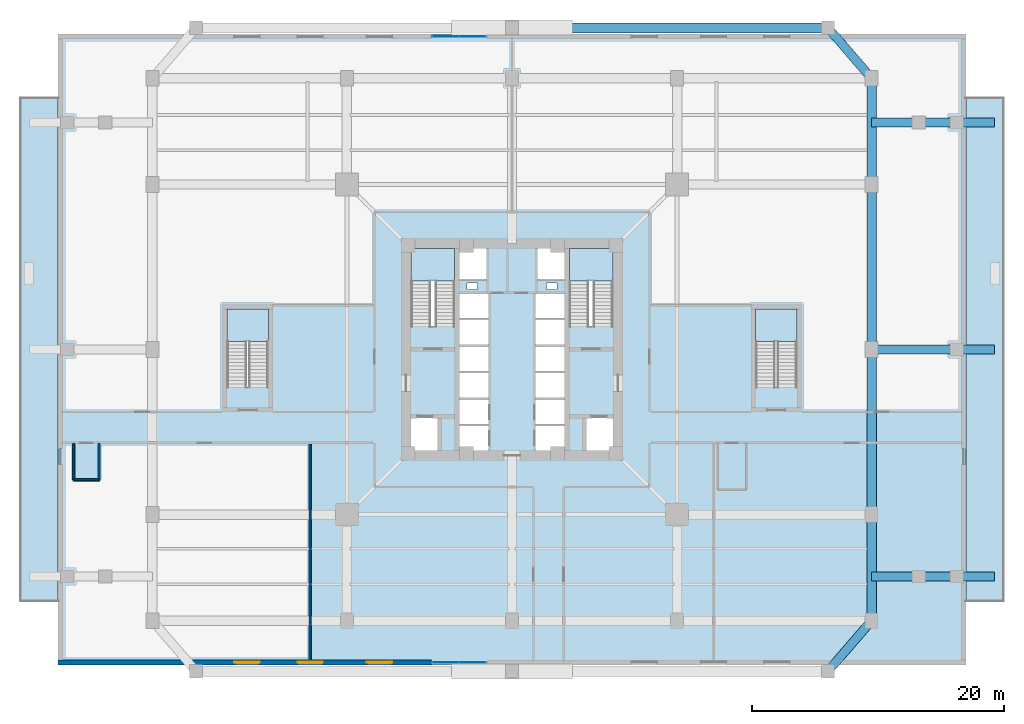
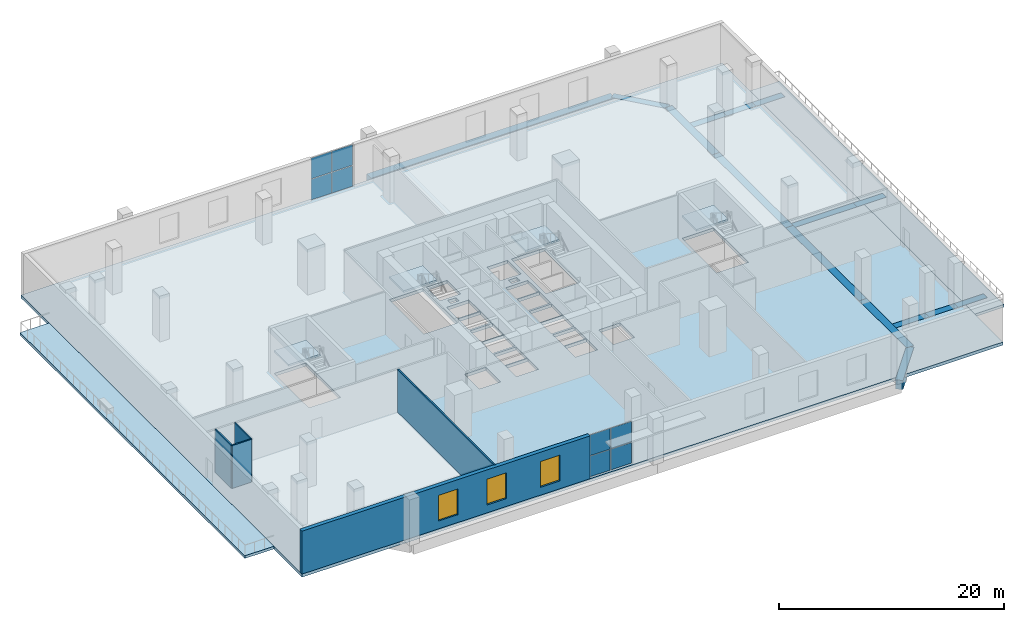
# One storey, part 5 of 15: 15 beams, 8 plates, 7 slabs, 5 walls, 3 windows, 3 openings, 6 elements without a shape of their own.
"""IFC4 building model written with IfcOpenShell, lengths in metres."""

from ifc_helpers import new_model, si_unit, direction, frame, frame_2d, origin, origin_2d, place, context, subcontext, project, spatial, polyline, rectangle, outline, extrude, source, transform, mapped, material, layer, layer_set, material_profile, profile_set, type_object, element, fill, aggregate, save


model = new_model("IFC4")

# Units and contexts
model_context = context("Model", 3, precision=1e-05, world=origin(), true_north=direction((0.0, 1.0)))
body_context = subcontext(model_context, "Body", "Model", "MODEL_VIEW")
ifc_project = project(units=[si_unit("LENGTHUNIT", "METRE"), si_unit("AREAUNIT", "SQUARE_METRE"), si_unit("VOLUMEUNIT", "CUBIC_METRE"), si_unit("PLANEANGLEUNIT", "RADIAN"), si_unit("MASSUNIT", "GRAM", prefix="KILO"), si_unit("THERMODYNAMICTEMPERATUREUNIT", "KELVIN")], contexts=[model_context])

# Site, building, storey
site_placement = place(None, origin())
site = spatial("IfcSite", under=ifc_project, at=site_placement, CompositionType="ELEMENT")
building_placement = place(site_placement, origin())
building = spatial("IfcBuilding", under=site, at=building_placement, Name="Kosmvard Interchange Tower", CompositionType="ELEMENT")
storey_placement = place(building_placement, frame((0.0, 0.0, 11.0)))
storey = spatial("IfcBuildingStorey", under=building, at=storey_placement, Name="L02", CompositionType="ELEMENT", Elevation=11.0)

# Beams
ifc_material_1 = material(Name="Concrete C60/75", Category="concrete")
ifc_material_profile_1 = material_profile(ifc_material_1, rectangle(XDim=0.75, YDim=1.050048828125, at=origin_2d()), Name="RCG 750x1050")
ifc_profile_set_1 = profile_set([ifc_material_profile_1], Name="Concrete C60/75")
beam_type_1 = type_object("IfcBeamType", Name="Concourse Mid-Span RC Girder 750x1050 C60/75", PredefinedType="BEAM", material=ifc_profile_set_1)
shared_shape_1 = source(origin(), body_context, "Body", "SweptSolid", [
    extrude(rectangle(XDim=0.75, YDim=1.050048828125, at=origin_2d()), origin(), (0.0, 0.0, 1.0), 13.0810546875),
])
for number, where, z_axis, x_axis, name in (
    (1, (28.5, -13.0810546875, -0.52490234375), (0.0, 1.0, 0.0), (-1.0, 0.0, 0.0), "BM-L02-PG-E2"),
    (2, (28.5, 0.0, -0.52490234375), (0.0, 1.0, 0.0), (-1.0, 0.0, 0.0), "BM-L02-PG-E3"),
):
    element("IfcBeam", number, at=place(storey_placement, frame(where, z_axis=z_axis, x_axis=x_axis)), inside=storey, type_object=beam_type_1, Name=name, PredefinedType="BEAM", context=body_context, shape_type="MappedRepresentation", body=[
        mapped(shared_shape_1, transform((0.0, 0.0, 0.0), scale=1.0)),
    ])
shared_shape_2 = source(origin(), body_context, "Body", "SweptSolid", [
    extrude(rectangle(XDim=0.75, YDim=1.050048828125, at=origin_2d()), origin(), (0.0, 0.0, 1.0), 8.4189453125),
])
for number, where, z_axis, x_axis, name in (
    (3, (28.5, -21.5, -0.52490234375), (0.0, 1.0, 0.0), (-1.0, 0.0, 0.0), "BM-L02-PG-E1"),
    (4, (28.5, 13.0810546875, -0.52490234375), (0.0, 1.0, 0.0), (-1.0, 0.0, 0.0), "BM-L02-PG-E4"),
):
    element("IfcBeam", number, at=place(storey_placement, frame(where, z_axis=z_axis, x_axis=x_axis)), inside=storey, type_object=beam_type_1, Name=name, PredefinedType="BEAM", context=body_context, shape_type="MappedRepresentation", body=[
        mapped(shared_shape_2, transform((0.0, 0.0, 0.0), scale=1.0)),
    ])
ifc_material_profile_2 = material_profile(ifc_material_1, rectangle(XDim=0.800048828125, YDim=1.14990234375, at=origin_2d()), Name="RCG 800x1150")
ifc_profile_set_2 = profile_set([ifc_material_profile_2], Name="Concrete C60/75")
beam_type_2 = type_object("IfcBeamType", Name="Concourse Long-Span RC Girder 800x1150 C60/75", PredefinedType="BEAM", material=ifc_profile_set_2)
shared_shape_3 = source(origin(), body_context, "Body", "SweptSolid", [
    extrude(rectangle(XDim=0.800048828125, YDim=1.14990234375, at=origin_2d()), origin(), (0.0, 0.0, 1.0), 25.050048828125),
])
beam_1_placement = place(storey_placement, frame((0.0, 25.5, -0.574951171875), z_axis=(1.0, 0.0, 0.0), x_axis=(0.0, 1.0, 0.0)))
element("IfcBeam", 5, at=beam_1_placement, inside=storey, type_object=beam_type_2, Name="BM-L02-PG-TN2", PredefinedType="BEAM", context=body_context, shape_type="MappedRepresentation", body=[
    mapped(shared_shape_3, transform((0.0, 0.0, 0.0), scale=1.0)),
])
ifc_material_profile_3 = material_profile(ifc_material_1, rectangle(XDim=0.699951171875, YDim=1.0, at=origin_2d()), Name="RCG 700x1000")
ifc_profile_set_3 = profile_set([ifc_material_profile_3], Name="Concrete C60/75")
beam_type_3 = type_object("IfcBeamType", Name="Concourse Primary RC Girder 700x1000 C60/75", PredefinedType="BEAM", material=ifc_profile_set_3)
shared_shape_4 = source(origin(), body_context, "Body", "SweptSolid", [
    extrude(rectangle(XDim=0.699951171875, YDim=1.0, at=origin_2d()), origin(), (0.0, 0.0, 1.0), 5.2822265625),
])
for number, where, z_axis, x_axis, name in (
    (6, (25.050048828125, -25.5, -0.5), (0.653121547432, 0.757253091298, 0.0), (-0.757253091298, 0.653121547432, 0.0), "BM-L02-PG-TSR"),
    (7, (25.050048828125, 25.5, -0.5), (0.653121547432, -0.757253091298, 0.0), (0.757253091298, 0.653121547432, 0.0), "BM-L02-PG-TNR"),
):
    element("IfcBeam", number, at=place(storey_placement, frame(where, z_axis=z_axis, x_axis=x_axis)), inside=storey, type_object=beam_type_3, Name=name, PredefinedType="BEAM", context=body_context, shape_type="MappedRepresentation", body=[
        mapped(shared_shape_4, transform((0.0, 0.0, 0.0), scale=1.0)),
    ])
shared_shape_5 = source(origin(), body_context, "Body", "SweptSolid", [
    extrude(rectangle(XDim=0.699951171875, YDim=1.0, at=origin_2d()), origin(), (0.0, 0.0, 1.0), 3.75),
])
for number, where, z_axis, x_axis, name in (
    (8, (28.5, -18.0, -0.5), (1.0, 0.0, 0.0), (0.0, 1.0, 0.0), "BM-L02-PG-TCE11"),
    (9, (28.5, 18.0, -0.5), (1.0, 0.0, 0.0), (0.0, 1.0, 0.0), "BM-L02-PG-TCE31"),
):
    element("IfcBeam", number, at=place(storey_placement, frame(where, z_axis=z_axis, x_axis=x_axis)), inside=storey, type_object=beam_type_3, Name=name, PredefinedType="BEAM", context=body_context, shape_type="MappedRepresentation", body=[
        mapped(shared_shape_5, transform((0.0, 0.0, 0.0), scale=1.0)),
    ])
shared_shape_6 = source(origin(), body_context, "Body", "SweptSolid", [
    extrude(rectangle(XDim=0.699951171875, YDim=1.0, at=origin_2d()), origin(), (0.0, 0.0, 1.0), 3.0),
])
for number, where, z_axis, x_axis, name in (
    (10, (32.25, -18.0, -0.5), (1.0, 0.0, 0.0), (0.0, 1.0, 0.0), "BM-L02-PG-TCE12"),
    (11, (35.25, -18.0, -0.5), (1.0, 0.0, 0.0), (0.0, 1.0, 0.0), "BM-L02-PG-TCE13"),
    (12, (35.25, 0.0, -0.5), (1.0, 0.0, 0.0), (0.0, 1.0, 0.0), "BM-L02-PG-TCE22"),
    (13, (32.25, 18.0, -0.5), (1.0, 0.0, 0.0), (0.0, 1.0, 0.0), "BM-L02-PG-TCE32"),
    (14, (35.25, 18.0, -0.5), (1.0, 0.0, 0.0), (0.0, 1.0, 0.0), "BM-L02-PG-TCE33"),
):
    element("IfcBeam", number, at=place(storey_placement, frame(where, z_axis=z_axis, x_axis=x_axis)), inside=storey, type_object=beam_type_3, Name=name, PredefinedType="BEAM", context=body_context, shape_type="MappedRepresentation", body=[
        mapped(shared_shape_6, transform((0.0, 0.0, 0.0), scale=1.0)),
    ])
shared_shape_7 = source(origin(), body_context, "Body", "SweptSolid", [
    extrude(rectangle(XDim=0.699951171875, YDim=1.0, at=origin_2d()), origin(), (0.0, 0.0, 1.0), 6.75),
])
beam_2_placement = place(storey_placement, frame((28.5, 0.0, -0.5), z_axis=(1.0, 0.0, 0.0), x_axis=(0.0, 1.0, 0.0)))
element("IfcBeam", 15, at=beam_2_placement, inside=storey, type_object=beam_type_3, Name="BM-L02-PG-TCE21", PredefinedType="BEAM", context=body_context, shape_type="MappedRepresentation", body=[
    mapped(shared_shape_7, transform((0.0, 0.0, 0.0), scale=1.0)),
])

# Slabs
ifc_material_2 = material(Name="Precast concrete C45/55", Category="concrete")
ifc_layer_1 = layer(ifc_material_2, 0.2900390625, Name="Precast concrete C45/55")
ifc_layer_set_1 = layer_set([ifc_layer_1], Name="Precast concrete C45/55")
slab_type_1 = type_object("IfcSlabType", Name="Cascade Garden Terrace Slab 290 C45/55", PredefinedType="FLOOR", material=ifc_layer_set_1)
slab_1_placement = place(storey_placement, frame((0.0, 0.0, -0.2900390625)))
element("IfcSlab", 16, at=slab_1_placement, inside=storey, type_object=slab_type_1, Name="L02 Outdoor Terrace Balcony Slab TER-L02-W", PredefinedType="FLOOR", context=body_context, shape_type="SweptSolid", body=[
    extrude(outline(polyline([(-39.0, -20.0), (-36.0, -20.0), (-36.0, 20.0), (-39.0, 20.0), (-39.0, -20.0)])), origin(), (0.0, 0.0, 1.0), 0.2900390625),
])
slab_2_placement = place(storey_placement, frame((0.0, 0.0, -0.2900390625)))
element("IfcSlab", 17, at=slab_2_placement, inside=storey, type_object=slab_type_1, Name="L02 Outdoor Terrace Balcony Slab TER-L02-E", PredefinedType="FLOOR", context=body_context, shape_type="SweptSolid", body=[
    extrude(outline(polyline([(36.0, -20.0), (39.0, -20.0), (39.0, 20.0), (36.0, 20.0), (36.0, -20.0)])), origin(), (0.0, 0.0, 1.0), 0.2900390625),
])
ifc_material_3 = material(Name="Concrete C50/60", Category="concrete")
ifc_layer_2 = layer(ifc_material_3, 0.340087890625, Name="Concrete C50/60")
ifc_layer_set_2 = layer_set([ifc_layer_2], Name="Concrete C50/60")
slab_type_2 = type_object("IfcSlabType", Name="Podium Commercial Floor Slab 340 C50/60", PredefinedType="FLOOR", material=ifc_layer_set_2)
slab_3_placement = place(storey_placement, frame((0.0, 0.0, -0.340087890625)))
element("IfcSlab", 18, at=slab_3_placement, inside=storey, type_object=slab_type_2, Name="L02 Structural Floor Slab", PredefinedType="FLOOR", context=body_context, shape_type="SweptSolid", body=[
    extrude(outline(polyline([(-36.0, -25.0), (36.0, -25.0), (36.0, 25.0), (-36.0, 25.0), (-36.0, -25.0)]), holes=[polyline([(-8.0, 1.8349609375), (-4.5400390625, 1.8349609375), (-4.5400390625, 8.0), (-8.0, 8.0), (-8.0, 1.8349609375)]), polyline([(4.5400390625, 1.8349609375), (8.0, 1.8349609375), (8.0, 8.0), (4.5400390625, 8.0), (4.5400390625, 1.8349609375)]), polyline([(-22.580078125, -2.965087890625), (-19.320068359375, -2.965087890625), (-19.320068359375, 3.199951171875), (-22.580078125, 3.199951171875), (-22.580078125, -2.965087890625)]), polyline([(19.320068359375, -2.965087890625), (22.580078125, -2.965087890625), (22.580078125, 3.199951171875), (19.320068359375, 3.199951171875), (19.320068359375, -2.965087890625)]), polyline([(-8.0, -8.0), (-5.800048828125, -8.0), (-5.800048828125, -5.39990234375), (-8.0, -5.39990234375), (-8.0, -8.0)]), polyline([(5.800048828125, -8.0), (8.0, -8.0), (8.0, -5.39990234375), (5.800048828125, -5.39990234375), (5.800048828125, -8.0)]), polyline([(-4.179931640625, -8.0), (-1.8798828125, -8.0), (-1.8798828125, -6.06005859375), (-4.179931640625, -6.06005859375), (-4.179931640625, -8.0)]), polyline([(-4.179931640625, -5.93994140625), (-1.8798828125, -5.93994140625), (-1.8798828125, -4.0), (-4.179931640625, -4.0), (-4.179931640625, -5.93994140625)]), polyline([(1.8798828125, -8.0), (4.179931640625, -8.0), (4.179931640625, -6.06005859375), (1.8798828125, -6.06005859375), (1.8798828125, -8.0)]), polyline([(1.8798828125, -5.93994140625), (4.179931640625, -5.93994140625), (4.179931640625, -4.0), (1.8798828125, -4.0), (1.8798828125, -5.93994140625)]), polyline([(-4.179931640625, -3.800048828125), (-1.8798828125, -3.800048828125), (-1.8798828125, -1.860107421875), (-4.179931640625, -1.860107421875), (-4.179931640625, -3.800048828125)]), polyline([(-4.179931640625, -1.739990234375), (-1.8798828125, -1.739990234375), (-1.8798828125, 0.199951171875), (-4.179931640625, 0.199951171875), (-4.179931640625, -1.739990234375)]), polyline([(1.8798828125, -3.800048828125), (4.179931640625, -3.800048828125), (4.179931640625, -1.860107421875), (1.8798828125, -1.860107421875), (1.8798828125, -3.800048828125)]), polyline([(1.8798828125, -1.739990234375), (4.179931640625, -1.739990234375), (4.179931640625, 0.199951171875), (1.8798828125, 0.199951171875), (1.8798828125, -1.739990234375)]), polyline([(-4.179931640625, 0.39990234375), (-1.8798828125, 0.39990234375), (-1.8798828125, 2.340087890625), (-4.179931640625, 2.340087890625), (-4.179931640625, 0.39990234375)]), polyline([(-4.179931640625, 2.4599609375), (-1.8798828125, 2.4599609375), (-1.8798828125, 4.39990234375), (-4.179931640625, 4.39990234375), (-4.179931640625, 2.4599609375)]), polyline([(1.8798828125, 0.39990234375), (4.179931640625, 0.39990234375), (4.179931640625, 2.340087890625), (1.8798828125, 2.340087890625), (1.8798828125, 0.39990234375)]), polyline([(1.8798828125, 2.4599609375), (4.179931640625, 2.4599609375), (4.179931640625, 4.39990234375), (1.8798828125, 4.39990234375), (1.8798828125, 2.4599609375)]), polyline([(-4.179931640625, 5.60009765625), (-2.0400390625, 5.60009765625), (-2.0400390625, 8.0), (-4.179931640625, 8.0), (-4.179931640625, 5.60009765625)]), polyline([(2.0400390625, 5.60009765625), (4.179931640625, 5.60009765625), (4.179931640625, 8.0), (2.0400390625, 8.0), (2.0400390625, 5.60009765625)]), polyline([(-3.56494140625, 4.739990234375), (-2.715087890625, 4.739990234375), (-2.715087890625, 5.2900390625), (-3.56494140625, 5.2900390625), (-3.56494140625, 4.739990234375)]), polyline([(2.715087890625, 4.739990234375), (3.56494140625, 4.739990234375), (3.56494140625, 5.2900390625), (2.715087890625, 5.2900390625), (2.715087890625, 4.739990234375)])]), origin(), (0.0, 0.0, 1.0), 0.340087890625),
])

# Stair, slab
stair_type = type_object("IfcStairType", Name="Dog-Leg Core Exit Stair H5000 C50/60", PredefinedType="HALF_TURN_STAIR", material=ifc_material_3)
stair_1_placement = place(storey_placement, origin())
stair_1 = element("IfcStair", 19, at=stair_1_placement, inside=storey, type_object=stair_type, Name="L02 Protected Exit Stair ST-1", PredefinedType="HALF_TURN_STAIR")
ifc_layer_3 = layer(ifc_material_3, 0.199951171875, Name="Concrete C50/60")
ifc_layer_set_3 = layer_set([ifc_layer_3], Name="Concrete C50/60")
slab_type_3 = type_object("IfcSlabType", Name="Stair Half-Landing Slab 200 C50/60", PredefinedType="LANDING", material=ifc_layer_set_3)
slab_4_placement = place(storey_placement, frame((0.0, 0.0, 2.300048828125)))
slab_4 = element("IfcSlab", 20, at=slab_4_placement, type_object=slab_type_3, Name="ST-1 landing 1", PredefinedType="LANDING", context=body_context, shape_type="SweptSolid", body=[
    extrude(outline(polyline([(-4.5400390625, 5.43994140625), (-4.5400390625, 8.0), (-8.0, 8.0), (-8.0, 5.43994140625), (-4.5400390625, 5.43994140625)])), origin(), (0.0, 0.0, 1.0), 0.199951171875),
])
aggregate(stair_1, [slab_4])

stair_2_placement = place(storey_placement, origin())
stair_2 = element("IfcStair", 21, at=stair_2_placement, inside=storey, type_object=stair_type, Name="L02 Protected Exit Stair ST-2", PredefinedType="HALF_TURN_STAIR")
slab_5_placement = place(storey_placement, frame((0.0, 0.0, 2.300048828125)))
slab_5 = element("IfcSlab", 22, at=slab_5_placement, type_object=slab_type_3, Name="ST-2 landing 1", PredefinedType="LANDING", context=body_context, shape_type="SweptSolid", body=[
    extrude(outline(polyline([(8.0, 5.43994140625), (8.0, 8.0), (4.5400390625, 8.0), (4.5400390625, 5.43994140625), (8.0, 5.43994140625)])), origin(), (0.0, 0.0, 1.0), 0.199951171875),
])
aggregate(stair_2, [slab_5])

stair_3_placement = place(storey_placement, origin())
stair_3 = element("IfcStair", 23, at=stair_3_placement, inside=storey, type_object=stair_type, Name="L02 Podium Concourse Stair ST-3", PredefinedType="HALF_TURN_STAIR")
slab_6_placement = place(storey_placement, frame((0.0, 0.0, 2.300048828125)))
slab_6 = element("IfcSlab", 24, at=slab_6_placement, type_object=slab_type_3, Name="ST-3 landing 1", PredefinedType="LANDING", context=body_context, shape_type="SweptSolid", body=[
    extrude(outline(polyline([(-19.320068359375, 0.639892578125), (-19.320068359375, 3.199951171875), (-22.580078125, 3.199951171875), (-22.580078125, 0.639892578125), (-19.320068359375, 0.639892578125)])), origin(), (0.0, 0.0, 1.0), 0.199951171875),
])
aggregate(stair_3, [slab_6])

stair_4_placement = place(storey_placement, origin())
stair_4 = element("IfcStair", 25, at=stair_4_placement, inside=storey, type_object=stair_type, Name="L02 Podium Concourse Stair ST-4", PredefinedType="HALF_TURN_STAIR")
slab_7_placement = place(storey_placement, frame((0.0, 0.0, 2.300048828125)))
slab_7 = element("IfcSlab", 26, at=slab_7_placement, type_object=slab_type_3, Name="ST-4 landing 1", PredefinedType="LANDING", context=body_context, shape_type="SweptSolid", body=[
    extrude(outline(polyline([(22.580078125, 0.639892578125), (22.580078125, 3.199951171875), (19.320068359375, 3.199951171875), (19.320068359375, 0.639892578125), (22.580078125, 0.639892578125)])), origin(), (0.0, 0.0, 1.0), 0.199951171875),
])
aggregate(stair_4, [slab_7])

# Curtain wall, plates
ifc_material_4 = material(Name="Architectural anodised aluminium", Category="aluminium")
ifc_layer_4 = layer(ifc_material_4, 0.199951171875, Name="Architectural anodised aluminium")
ifc_layer_set_4 = layer_set([ifc_layer_4], Name="Architectural anodised aluminium")
curtain_wall_type = type_object("IfcCurtainWallType", Name="CW-2 Cascade Terrace Hall Curtain Wall", PredefinedType="NOTDEFINED", material=ifc_layer_set_4)
curtain_wall_1_placement = place(storey_placement, origin())
curtain_wall_1 = element("IfcCurtainWall", 27, at=curtain_wall_1_placement, inside=storey, type_object=curtain_wall_type, Name="L02 South Terrace Hall Curtain Wall", PredefinedType="NOTDEFINED")
ifc_material_5 = material(Name="Low-E solar-control double glazing", Category="glass")
ifc_layer_5 = layer(ifc_material_5, 0.031982421875, Name="Low-E solar-control double glazing")
ifc_layer_set_5 = layer_set([ifc_layer_5], Name="Low-E solar-control double glazing")
plate_type = type_object("IfcPlateType", Name="Sky-Garden Vision Curtain Panel 32", PredefinedType="CURTAIN_PANEL", material=ifc_layer_set_5)
shared_shape_8 = source(origin(), body_context, "Body", "SweptSolid", [
    extrude(rectangle(XDim=2.094970703125, YDim=0.031982421875, at=origin_2d()), origin(), (0.0, 0.0, 1.0), 2.232421875),
])
plate_1_placement = place(storey_placement, frame((-5.282470703125, -24.800048828125, 0.06494140625), z_axis=(0.0, 0.0, 1.0), x_axis=(1.0, 0.0, 0.0)))
plate_1 = element("IfcPlate", 28, at=plate_1_placement, type_object=plate_type, Name="CW-2 panel 1.1", PredefinedType="CURTAIN_PANEL", context=body_context, shape_type="MappedRepresentation", body=[
    mapped(shared_shape_8, transform((0.0, 0.0, 0.0), scale=1.0)),
])
plate_2_placement = place(storey_placement, frame((-5.282470703125, -24.800048828125, 2.362548828125), z_axis=(0.0, 0.0, 1.0), x_axis=(1.0, 0.0, 0.0)))
plate_2 = element("IfcPlate", 29, at=plate_2_placement, type_object=plate_type, Name="CW-2 panel 1.2", PredefinedType="CURTAIN_PANEL", context=body_context, shape_type="MappedRepresentation", body=[
    mapped(shared_shape_8, transform((0.0, 0.0, 0.0), scale=1.0)),
])
plate_3_placement = place(storey_placement, frame((-3.117431640625, -24.800048828125, 0.06494140625), z_axis=(0.0, 0.0, 1.0), x_axis=(1.0, 0.0, 0.0)))
plate_3 = element("IfcPlate", 30, at=plate_3_placement, type_object=plate_type, Name="CW-2 panel 2.1", PredefinedType="CURTAIN_PANEL", context=body_context, shape_type="MappedRepresentation", body=[
    mapped(shared_shape_8, transform((0.0, 0.0, 0.0), scale=1.0)),
])
plate_4_placement = place(storey_placement, frame((-3.117431640625, -24.800048828125, 2.362548828125), z_axis=(0.0, 0.0, 1.0), x_axis=(1.0, 0.0, 0.0)))
plate_4 = element("IfcPlate", 31, at=plate_4_placement, type_object=plate_type, Name="CW-2 panel 2.2", PredefinedType="CURTAIN_PANEL", context=body_context, shape_type="MappedRepresentation", body=[
    mapped(shared_shape_8, transform((0.0, 0.0, 0.0), scale=1.0)),
])
aggregate(curtain_wall_1, [plate_1, plate_2, plate_3, plate_4])

curtain_wall_2_placement = place(storey_placement, origin())
curtain_wall_2 = element("IfcCurtainWall", 32, at=curtain_wall_2_placement, inside=storey, type_object=curtain_wall_type, Name="L02 North Terrace Hall Curtain Wall", PredefinedType="NOTDEFINED")
plate_5_placement = place(storey_placement, frame((-5.282470703125, 24.800048828125, 0.06494140625), z_axis=(0.0, 0.0, 1.0), x_axis=(1.0, 0.0, 0.0)))
plate_5 = element("IfcPlate", 33, at=plate_5_placement, type_object=plate_type, Name="CW-2 panel 1.1", PredefinedType="CURTAIN_PANEL", context=body_context, shape_type="MappedRepresentation", body=[
    mapped(shared_shape_8, transform((0.0, 0.0, 0.0), scale=1.0)),
])
plate_6_placement = place(storey_placement, frame((-5.282470703125, 24.800048828125, 2.362548828125), z_axis=(0.0, 0.0, 1.0), x_axis=(1.0, 0.0, 0.0)))
plate_6 = element("IfcPlate", 34, at=plate_6_placement, type_object=plate_type, Name="CW-2 panel 1.2", PredefinedType="CURTAIN_PANEL", context=body_context, shape_type="MappedRepresentation", body=[
    mapped(shared_shape_8, transform((0.0, 0.0, 0.0), scale=1.0)),
])
plate_7_placement = place(storey_placement, frame((-3.117431640625, 24.800048828125, 0.06494140625), z_axis=(0.0, 0.0, 1.0), x_axis=(1.0, 0.0, 0.0)))
plate_7 = element("IfcPlate", 35, at=plate_7_placement, type_object=plate_type, Name="CW-2 panel 2.1", PredefinedType="CURTAIN_PANEL", context=body_context, shape_type="MappedRepresentation", body=[
    mapped(shared_shape_8, transform((0.0, 0.0, 0.0), scale=1.0)),
])
plate_8_placement = place(storey_placement, frame((-3.117431640625, 24.800048828125, 2.362548828125), z_axis=(0.0, 0.0, 1.0), x_axis=(1.0, 0.0, 0.0)))
plate_8 = element("IfcPlate", 36, at=plate_8_placement, type_object=plate_type, Name="CW-2 panel 2.2", PredefinedType="CURTAIN_PANEL", context=body_context, shape_type="MappedRepresentation", body=[
    mapped(shared_shape_8, transform((0.0, 0.0, 0.0), scale=1.0)),
])
aggregate(curtain_wall_2, [plate_5, plate_6, plate_7, plate_8])

# Wall
ifc_material_6 = material(Name="Acoustic gypsum partition system")
ifc_layer_6 = layer(ifc_material_6, 0.14990234375, Name="Acoustic gypsum partition system")
ifc_layer_set_6 = layer_set([ifc_layer_6], Name="Acoustic gypsum partition system")
wall_type_1 = type_object("IfcWallType", Name="Acoustic Suite & Meeting Partition 150", PredefinedType="PARTITIONING", material=ifc_layer_set_6)
wall_1_placement = place(storey_placement, frame((-16.0, -24.6650390625, 0.0), z_axis=(0.0, 0.0, 1.0), x_axis=(0.0, 1.0, 0.0)))
element("IfcWall", 37, at=wall_1_placement, inside=storey, type_object=wall_type_1, Name="L02 Room Partition 04.1", PredefinedType="PARTITIONING", context=body_context, shape_type="SweptSolid", body=[
    extrude(rectangle(XDim=17.169921875, YDim=0.14990234375, at=frame_2d((8.5849609375, 0.0))), origin(), (0.0, 0.0, 1.0), 4.659912109375),
])

# Wall, openings, windows
ifc_layer_7 = layer(ifc_material_2, 0.39990234375, Name="Precast concrete C45/55")
ifc_layer_set_7 = layer_set([ifc_layer_7], Name="Precast concrete C45/55")
wall_type_2 = type_object("IfcWallType", Name="Podium Precast Stone Pier Wall 400 C45/55", PredefinedType="STANDARD", material=ifc_layer_set_7)
wall_2_placement = place(storey_placement, frame((-36.0, -24.800048828125, 0.0), z_axis=(0.0, 0.0, 1.0), x_axis=(1.0, 0.0, 0.0)))
wall_2 = element("IfcWall", 38, at=wall_2_placement, inside=storey, type_object=wall_type_2, Name="L02 Podium Precast Wall EW-S1", PredefinedType="STANDARD", context=body_context, shape_type="SweptSolid", body=[
    extrude(rectangle(XDim=29.60009765625, YDim=0.39990234375, at=frame_2d((14.800048828125, 0.0))), origin(), (0.0, 0.0, 1.0), 4.659912109375),
])
opening_1_placement = place(wall_2_placement, frame((14.0, 0.0, 0.85009765625)))
opening_1 = element("IfcOpeningElement", 39, at=opening_1_placement, cuts=wall_2, Name="Opening L02-W1", PredefinedType="OPENING", context=body_context, shape_type="SweptSolid", body=[
    extrude(rectangle(XDim=2.0, YDim=2.800048828125, at=frame_2d((1.0, 1.39990234375))), frame((0.0, 0.2099609375, 0.0), z_axis=(0.0, -1.0, 0.0), x_axis=(1.0, 0.0, 0.0)), (0.0, 0.0, 1.0), 0.419921875),
])
opening_2_placement = place(wall_2_placement, frame((19.0, 0.0, 0.85009765625)))
opening_2 = element("IfcOpeningElement", 40, at=opening_2_placement, cuts=wall_2, Name="Opening L02-W2", PredefinedType="OPENING", context=body_context, shape_type="SweptSolid", body=[
    extrude(rectangle(XDim=2.0, YDim=2.800048828125, at=frame_2d((1.0, 1.39990234375))), frame((0.0, 0.2099609375, 0.0), z_axis=(0.0, -1.0, 0.0), x_axis=(1.0, 0.0, 0.0)), (0.0, 0.0, 1.0), 0.419921875),
])
opening_3_placement = place(wall_2_placement, frame((24.5, 0.0, 0.85009765625)))
opening_3 = element("IfcOpeningElement", 41, at=opening_3_placement, cuts=wall_2, Name="Opening L02-W3", PredefinedType="OPENING", context=body_context, shape_type="SweptSolid", body=[
    extrude(rectangle(XDim=2.0, YDim=2.800048828125, at=frame_2d((1.0, 1.39990234375))), frame((0.0, 0.2099609375, 0.0), z_axis=(0.0, -1.0, 0.0), x_axis=(1.0, 0.0, 0.0)), (0.0, 0.0, 1.0), 0.419921875),
])
window_type = type_object("IfcWindowType", Name="Podium Lounge Punched Window 2000x2800", PartitioningType="SINGLE_PANEL", PredefinedType="WINDOW", material=ifc_material_5)
shared_shape_9 = source(origin(), body_context, "Body", "SweptSolid", [
    extrude(rectangle(XDim=2.0, YDim=2.800048828125, at=frame_2d((1.0, 1.39990234375))), frame((0.0, 0.030029296875, 0.0), z_axis=(0.0, -1.0, 0.0), x_axis=(1.0, 0.0, 0.0)), (0.0, 0.0, 1.0), 0.06005859375),
])
window_1_placement = place(opening_1_placement, origin())
window_1 = element("IfcWindow", 42, at=window_1_placement, inside=storey, type_object=window_type, Name="L02 Podium Window 1", OverallHeight=2.800048828125, OverallWidth=2.0, PartitioningType="SINGLE_PANEL", PredefinedType="WINDOW", context=body_context, shape_type="MappedRepresentation", body=[
    mapped(shared_shape_9, transform((0.0, 0.0, 0.0), scale=1.0)),
])
fill(opening_1, window_1)
window_2_placement = place(opening_2_placement, origin())
window_2 = element("IfcWindow", 43, at=window_2_placement, inside=storey, type_object=window_type, Name="L02 Podium Window 2", OverallHeight=2.800048828125, OverallWidth=2.0, PartitioningType="SINGLE_PANEL", PredefinedType="WINDOW", context=body_context, shape_type="MappedRepresentation", body=[
    mapped(shared_shape_9, transform((0.0, 0.0, 0.0), scale=1.0)),
])
fill(opening_2, window_2)
window_3_placement = place(opening_3_placement, origin())
window_3 = element("IfcWindow", 44, at=window_3_placement, inside=storey, type_object=window_type, Name="L02 Podium Window 3", OverallHeight=2.800048828125, OverallWidth=2.0, PartitioningType="SINGLE_PANEL", PredefinedType="WINDOW", context=body_context, shape_type="MappedRepresentation", body=[
    mapped(shared_shape_9, transform((0.0, 0.0, 0.0), scale=1.0)),
])
fill(opening_3, window_3)

# Walls
ifc_material_7 = material(Name="Moisture-resistant gypsum partition")
ifc_layer_8 = layer(ifc_material_7, 0.135009765625, Name="Moisture-resistant gypsum partition")
ifc_layer_set_8 = layer_set([ifc_layer_8], Name="Moisture-resistant gypsum partition")
wall_type_3 = type_object("IfcWallType", Name="Wet Room Moisture-Resistant Partition 135", PredefinedType="PARTITIONING", material=ifc_layer_set_8)
wall_3_placement = place(storey_placement, frame((-34.735107421875, -10.320068359375, 0.0), z_axis=(0.0, 0.0, 1.0), x_axis=(1.0, 0.0, 0.0)))
element("IfcWall", 45, at=wall_3_placement, inside=storey, type_object=wall_type_3, Name="L02 Washroom Partition AWC1-S", PredefinedType="PARTITIONING", context=body_context, shape_type="SweptSolid", body=[
    extrude(rectangle(XDim=2.0, YDim=0.135009765625, at=frame_2d((1.0, 0.0))), origin(), (0.0, 0.0, 1.0), 4.659912109375),
])
for number, where, z_axis, x_axis, name in (
    (46, (-32.735107421875, -10.320068359375, 0.0), (0.0, 0.0, 1.0), (0.0, 1.0, 0.0), "L02 Washroom Partition AWC1-E"),
    (47, (-34.735107421875, -10.320068359375, 0.0), (0.0, 0.0, 1.0), (0.0, 1.0, 0.0), "L02 Washroom Partition AWC1-W"),
):
    element("IfcWall", number, at=place(storey_placement, frame(where, z_axis=z_axis, x_axis=x_axis)), inside=storey, type_object=wall_type_3, Name=name, PredefinedType="PARTITIONING", context=body_context, shape_type="SweptSolid", body=[
        extrude(rectangle(XDim=2.900146484375, YDim=0.135009765625, at=frame_2d((1.4501953125, 0.0))), origin(), (0.0, 0.0, 1.0), 4.659912109375),
    ])

save(model, "model.ifc")
